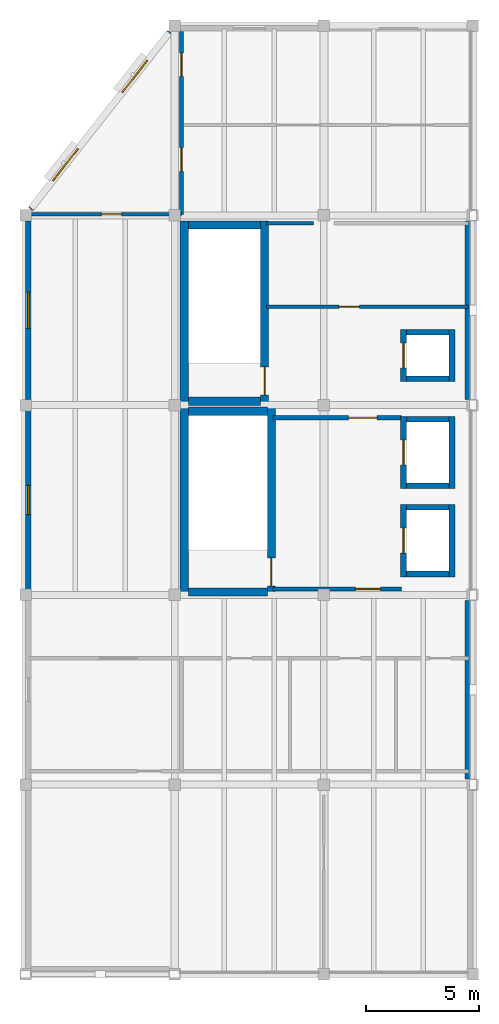
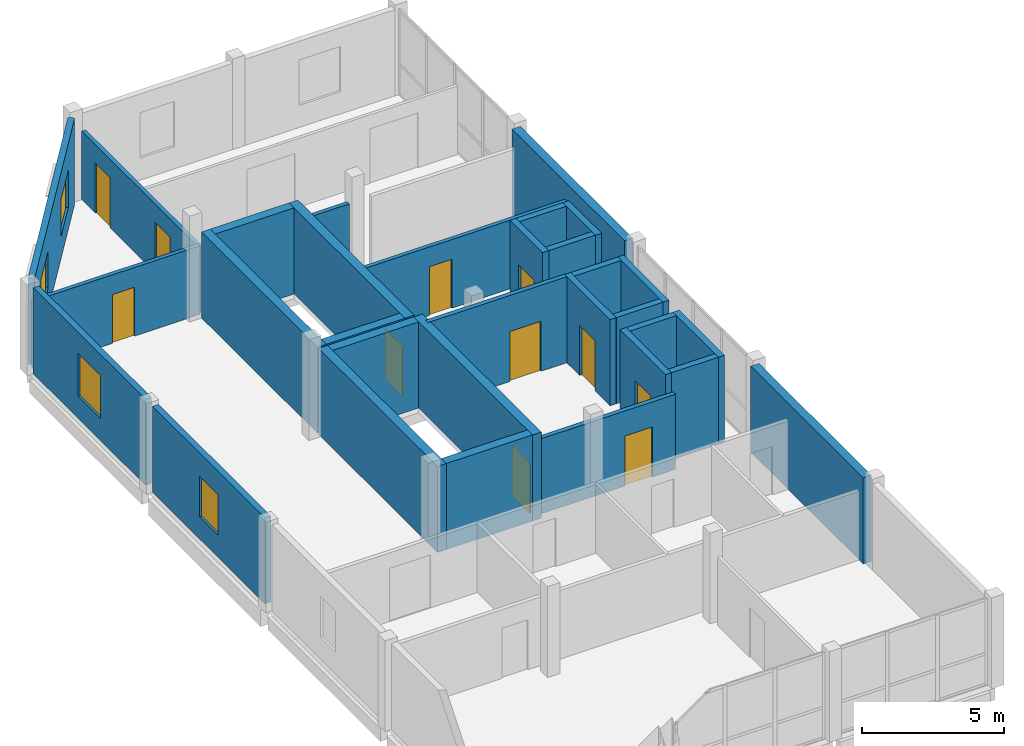
# One storey, part 5 of 7: 31 walls, 11 doors, 4 windows, 15 openings.
"""IFC4 building model written with IfcOpenShell, lengths in metres."""

from ifc_helpers import new_model, si_unit, direction, frame, frame_2d, origin, place, context, subcontext, project, spatial, rectangle, extrude, material, layer, layer_set, type_object, element, fill, save


model = new_model("IFC4")

# Units and contexts
model_context = context("Model", 3, precision=1e-05, world=origin(), true_north=direction((0.0, 1.0)))
body_context = subcontext(model_context, "Body", "Model", "MODEL_VIEW")
ifc_project = project(units=[si_unit("LENGTHUNIT", "METRE"), si_unit("AREAUNIT", "SQUARE_METRE"), si_unit("VOLUMEUNIT", "CUBIC_METRE"), si_unit("PLANEANGLEUNIT", "RADIAN"), si_unit("MASSUNIT", "GRAM", prefix="KILO")], contexts=[model_context])

# Site, building, storey
site_placement = place(None, origin())
site = spatial("IfcSite", under=ifc_project, at=site_placement, CompositionType="ELEMENT")
building_placement = place(site_placement, origin())
building = spatial("IfcBuilding", under=site, at=building_placement, Name="Qaldarim Faculty of Natural and Applied Sciences", CompositionType="ELEMENT")
storey_placement = place(building_placement, frame((0.0, 0.0, 47.10009765625)))
storey = spatial("IfcBuildingStorey", under=building, at=storey_placement, Name="L11", CompositionType="ELEMENT", Elevation=47.10009765625)

# Wall
ifc_material_1 = material(Name="Concrete C50/60", Category="concrete")
ifc_layer_1 = layer(ifc_material_1, 0.360107421875)
ifc_layer_set_1 = layer_set([ifc_layer_1], Name="Concrete C50/60")
wall_type_1 = type_object("IfcWallType", Name="CoreShearWall-360", PredefinedType="SHEAR", material=ifc_layer_set_1)
wall_1_placement = place(storey_placement, frame((165.419921875, 16.739990234375, 0.0), z_axis=(0.0, 0.0, 1.0), x_axis=(0.0, 1.0, 0.0)))
element("IfcWall", 1, at=wall_1_placement, inside=storey, type_object=wall_type_1, Name="Core stair ST-A1 west shear wall L11", PredefinedType="SHEAR", context=body_context, shape_type="SweptSolid", body=[
    extrude(rectangle(XDim=8.3701171875, YDim=0.360107421875, at=frame_2d((4.18505859375, 0.0))), origin(), (0.0, 0.0, 1.0), 3.699951171875),
])

# Wall, opening, door
wall_2_placement = place(storey_placement, frame((169.280029296875, 16.739990234375, 0.0), z_axis=(0.0, 0.0, 1.0), x_axis=(0.0, 1.0, 0.0)))
wall_2 = element("IfcWall", 2, at=wall_2_placement, inside=storey, type_object=wall_type_1, Name="Core stair ST-A1 east shear wall L11", PredefinedType="SHEAR", context=body_context, shape_type="SweptSolid", body=[
    extrude(rectangle(XDim=8.3701171875, YDim=0.360107421875, at=frame_2d((4.18505859375, 0.0))), origin(), (0.0, 0.0, 1.0), 3.699951171875),
])
opening_1_placement = place(wall_2_placement, frame((0.449951171875, 0.0, 0.0)))
opening_1 = element("IfcOpeningElement", 3, at=opening_1_placement, cuts=wall_2, Name="Opening ID04", PredefinedType="OPENING", context=body_context, shape_type="SweptSolid", body=[
    extrude(rectangle(XDim=1.25, YDim=2.14990234375, at=frame_2d((0.625, 1.074951171875))), frame((0.0, 0.18994140625, 0.0), z_axis=(0.0, -1.0, 0.0), x_axis=(1.0, 0.0, 0.0)), (0.0, 0.0, 1.0), 0.380126953125),
])
ifc_material_2 = material(Name="Architectural stainless steel 316", Category="steel")
door_type_1 = type_object("IfcDoorType", Name="StairEnclosureFireDoor-1250x2150", OperationType="NOTDEFINED", PredefinedType="DOOR", material=ifc_material_2)
door_1_placement = place(opening_1_placement, origin())
door_1 = element("IfcDoor", 4, at=door_1_placement, inside=storey, type_object=door_type_1, Name="Protected stair ST-A1 fire door D-L11-513", OperationType="SINGLE_SWING_LEFT", OverallHeight=2.14990234375, OverallWidth=1.25, PredefinedType="DOOR", context=body_context, shape_type="SweptSolid", body=[
    extrude(rectangle(XDim=1.25, YDim=2.14990234375, at=frame_2d((0.625, 1.074951171875))), frame((0.0, 0.02490234375, 0.0), z_axis=(0.0, -1.0, 0.0), x_axis=(1.0, 0.0, 0.0)), (0.0, 0.0, 1.0), 0.050048828125),
])
fill(opening_1, door_1)

# Walls
for number, where, z_axis, x_axis, name in (
    (5, (165.60009765625, 24.929931640625, 0.0), (0.0, 0.0, 1.0), (1.0, 0.0, 0.0), "Core stair ST-A1 north shear wall L11"),
    (6, (165.60009765625, 16.919921875, 0.0), (0.0, 0.0, 1.0), (1.0, 0.0, 0.0), "Core stair ST-A1 south shear wall L11"),
):
    element("IfcWall", number, at=place(storey_placement, frame(where, z_axis=z_axis, x_axis=x_axis)), inside=storey, type_object=wall_type_1, Name=name, PredefinedType="SHEAR", context=body_context, shape_type="SweptSolid", body=[
        extrude(rectangle(XDim=3.5, YDim=0.360107421875, at=frame_2d((1.75, 0.0))), origin(), (0.0, 0.0, 1.0), 3.699951171875),
    ])
wall_3_placement = place(storey_placement, frame((165.419921875, 25.18994140625, 0.0), z_axis=(0.0, 0.0, 1.0), x_axis=(0.0, 1.0, 0.0)))
element("IfcWall", 7, at=wall_3_placement, inside=storey, type_object=wall_type_1, Name="Core stair ST-A2 west shear wall L11", PredefinedType="SHEAR", context=body_context, shape_type="SweptSolid", body=[
    extrude(rectangle(XDim=8.170166015625, YDim=0.360107421875, at=frame_2d((4.0849609375, 0.0))), origin(), (0.0, 0.0, 1.0), 3.699951171875),
])

# Wall, opening, door
wall_4_placement = place(storey_placement, frame((168.97998046875, 25.18994140625, 0.0), z_axis=(0.0, 0.0, 1.0), x_axis=(0.0, 1.0, 0.0)))
wall_4 = element("IfcWall", 8, at=wall_4_placement, inside=storey, type_object=wall_type_1, Name="Core stair ST-A2 east shear wall L11", PredefinedType="SHEAR", context=body_context, shape_type="SweptSolid", body=[
    extrude(rectangle(XDim=8.170166015625, YDim=0.360107421875, at=frame_2d((4.0849609375, 0.0))), origin(), (0.0, 0.0, 1.0), 3.699951171875),
])
opening_2_placement = place(wall_4_placement, frame((0.449951171875, 0.0, 0.0)))
opening_2 = element("IfcOpeningElement", 9, at=opening_2_placement, cuts=wall_4, Name="Opening ID04", PredefinedType="OPENING", context=body_context, shape_type="SweptSolid", body=[
    extrude(rectangle(XDim=1.25, YDim=2.14990234375, at=frame_2d((0.625, 1.074951171875))), frame((0.0, 0.18994140625, 0.0), z_axis=(0.0, -1.0, 0.0), x_axis=(1.0, 0.0, 0.0)), (0.0, 0.0, 1.0), 0.380126953125),
])
door_2_placement = place(opening_2_placement, origin())
door_2 = element("IfcDoor", 10, at=door_2_placement, inside=storey, type_object=door_type_1, Name="Protected stair ST-A2 fire door D-L11-525", OperationType="SINGLE_SWING_LEFT", OverallHeight=2.14990234375, OverallWidth=1.25, PredefinedType="DOOR", context=body_context, shape_type="SweptSolid", body=[
    extrude(rectangle(XDim=1.25, YDim=2.14990234375, at=frame_2d((0.625, 1.074951171875))), frame((0.0, 0.02490234375, 0.0), z_axis=(0.0, -1.0, 0.0), x_axis=(1.0, 0.0, 0.0)), (0.0, 0.0, 1.0), 0.050048828125),
])
fill(opening_2, door_2)

# Walls
for number, where, z_axis, x_axis, name in (
    (11, (165.60009765625, 33.179931640625, 0.0), (0.0, 0.0, 1.0), (1.0, 0.0, 0.0), "Core stair ST-A2 north shear wall L11"),
    (12, (165.60009765625, 25.3701171875, 0.0), (0.0, 0.0, 1.0), (1.0, 0.0, 0.0), "Core stair ST-A2 south shear wall L11"),
):
    element("IfcWall", number, at=place(storey_placement, frame(where, z_axis=z_axis, x_axis=x_axis)), inside=storey, type_object=wall_type_1, Name=name, PredefinedType="SHEAR", context=body_context, shape_type="SweptSolid", body=[
        extrude(rectangle(XDim=3.199951171875, YDim=0.360107421875, at=frame_2d((1.60009765625, 0.0))), origin(), (0.0, 0.0, 1.0), 3.699951171875),
    ])

# Wall, opening, window
ifc_material_3 = material(Name="Precast concrete C40/50", Category="concrete")
ifc_layer_2 = layer(ifc_material_3, 0.239990234375)
ifc_layer_set_2 = layer_set([ifc_layer_2], Name="Precast concrete C40/50")
wall_type_2 = type_object("IfcWallType", Name="ExteriorInsulatedWall-240", PredefinedType="SOLIDWALL", material=ifc_layer_set_2)
wall_5_placement = place(storey_placement, frame((158.52001953125, 24.955078125, 0.0), z_axis=(0.0, 0.0, 1.0), x_axis=(0.0, -1.0, 0.0)))
wall_5 = element("IfcWall", 13, at=wall_5_placement, inside=storey, type_object=wall_type_2, Name="Exterior wall EW03 L11 W X25Y03", PredefinedType="SOLIDWALL", context=body_context, shape_type="SweptSolid", body=[
    extrude(rectangle(XDim=7.91015625, YDim=0.239990234375, at=frame_2d((3.955078125, 0.0))), origin(), (0.0, 0.0, 1.0), 3.699951171875),
])
opening_3_placement = place(wall_5_placement, frame((3.304931640625, 0.0, 0.949951171875)))
opening_3 = element("IfcOpeningElement", 14, at=opening_3_placement, cuts=wall_5, Name="Opening WN18", PredefinedType="OPENING", context=body_context, shape_type="SweptSolid", body=[
    extrude(rectangle(XDim=1.300048828125, YDim=1.75, at=frame_2d((0.64990234375, 0.875))), frame((0.0, 0.1298828125, 0.0), z_axis=(0.0, -1.0, 0.0), x_axis=(1.0, 0.0, 0.0)), (0.0, 0.0, 1.0), 0.260009765625),
])
ifc_material_4 = material(Name="Insulated low-e double glazing", Category="glass")
window_type_1 = type_object("IfcWindowType", Name="StudyWindow-1300x1750", PartitioningType="SINGLE_PANEL", PredefinedType="WINDOW", material=ifc_material_4)
window_1_placement = place(opening_3_placement, origin())
window_1 = element("IfcWindow", 15, at=window_1_placement, inside=storey, type_object=window_type_1, Name="Facade window WN18 L11 W X25Y03", OverallHeight=1.75, OverallWidth=1.300048828125, PartitioningType="SINGLE_PANEL", PredefinedType="WINDOW", context=body_context, shape_type="SweptSolid", body=[
    extrude(rectangle(XDim=1.300048828125, YDim=1.75, at=frame_2d((0.64990234375, 0.875))), frame((0.0, 0.030029296875, 0.0), z_axis=(0.0, -1.0, 0.0), x_axis=(1.0, 0.0, 0.0)), (0.0, 0.0, 1.0), 0.06005859375),
])
fill(opening_3, window_1)

wall_6_placement = place(storey_placement, frame((158.52001953125, 33.35498046875, 0.0), z_axis=(0.0, 0.0, 1.0), x_axis=(0.0, -1.0, 0.0)))
wall_6 = element("IfcWall", 16, at=wall_6_placement, inside=storey, type_object=wall_type_2, Name="Exterior wall EW03 L11 W X25Y04", PredefinedType="SOLIDWALL", context=body_context, shape_type="SweptSolid", body=[
    extrude(rectangle(XDim=7.909912109375, YDim=0.239990234375, at=frame_2d((3.955078125, 0.0))), origin(), (0.0, 0.0, 1.0), 3.699951171875),
])
opening_4_placement = place(wall_6_placement, frame((3.155029296875, 0.0, 0.949951171875)))
opening_4 = element("IfcOpeningElement", 17, at=opening_4_placement, cuts=wall_6, Name="Opening WN19", PredefinedType="OPENING", context=body_context, shape_type="SweptSolid", body=[
    extrude(rectangle(XDim=1.60009765625, YDim=1.85009765625, at=frame_2d((0.800048828125, 0.925048828125))), frame((0.0, 0.1298828125, 0.0), z_axis=(0.0, -1.0, 0.0), x_axis=(1.0, 0.0, 0.0)), (0.0, 0.0, 1.0), 0.260009765625),
])
window_type_2 = type_object("IfcWindowType", Name="StudyWindow-1600x1850", PartitioningType="DOUBLE_PANEL_VERTICAL", PredefinedType="WINDOW", material=ifc_material_4)
window_2_placement = place(opening_4_placement, origin())
window_2 = element("IfcWindow", 18, at=window_2_placement, inside=storey, type_object=window_type_2, Name="Facade window WN19 L11 W X25Y04", OverallHeight=1.85009765625, OverallWidth=1.60009765625, PartitioningType="SINGLE_PANEL", PredefinedType="WINDOW", context=body_context, shape_type="SweptSolid", body=[
    extrude(rectangle(XDim=1.60009765625, YDim=1.85009765625, at=frame_2d((0.800048828125, 0.925048828125))), frame((0.0, 0.030029296875, 0.0), z_axis=(0.0, -1.0, 0.0), x_axis=(1.0, 0.0, 0.0)), (0.0, 0.0, 1.0), 0.06005859375),
])
fill(opening_4, window_2)

# Wall, openings, windows
wall_7_placement = place(storey_placement, frame((158.6201171875, 33.8798828125, 0.0), z_axis=(0.0, 0.0, 1.0), x_axis=(0.617811819191, 0.786325985878, 0.0)))
wall_7 = element("IfcWall", 19, at=wall_7_placement, inside=storey, type_object=wall_type_2, Name="Oblique NW chamfer fenestrated wall L11", PredefinedType="SOLIDWALL", context=body_context, shape_type="SweptSolid", body=[
    extrude(rectangle(XDim=9.970458984375, YDim=0.239990234375, at=frame_2d((4.9853515625, 0.0))), origin(), (0.0, 0.0, 1.0), 3.699951171875),
])
opening_5_placement = place(wall_7_placement, frame((1.60009765625, 0.0, 0.949951171875)))
opening_5 = element("IfcOpeningElement", 20, at=opening_5_placement, cuts=wall_7, Name="Opening WN02", PredefinedType="OPENING", context=body_context, shape_type="SweptSolid", body=[
    extrude(rectangle(XDim=1.800048828125, YDim=1.60009765625, at=frame_2d((0.89990234375, 0.800048828125))), frame((0.0, 0.1298828125, 0.0), z_axis=(0.0, -1.0, 0.0), x_axis=(1.0, 0.0, 0.0)), (0.0, 0.0, 1.0), 0.260009765625),
])
opening_6_placement = place(wall_7_placement, frame((6.570068359375, 0.0, 0.949951171875)))
opening_6 = element("IfcOpeningElement", 21, at=opening_6_placement, cuts=wall_7, Name="Opening WN02", PredefinedType="OPENING", context=body_context, shape_type="SweptSolid", body=[
    extrude(rectangle(XDim=1.800048828125, YDim=1.60009765625, at=frame_2d((0.89990234375, 0.800048828125))), frame((0.0, 0.1298828125, 0.0), z_axis=(0.0, -1.0, 0.0), x_axis=(1.0, 0.0, 0.0)), (0.0, 0.0, 1.0), 0.260009765625),
])
window_type_3 = type_object("IfcWindowType", Name="Window-1800x1600", PartitioningType="DOUBLE_PANEL_VERTICAL", PredefinedType="WINDOW", material=ifc_material_4)
window_3_placement = place(opening_5_placement, origin())
window_3 = element("IfcWindow", 22, at=window_3_placement, inside=storey, type_object=window_type_3, Name="Oblique NW stepped tier window L11 1", OverallHeight=1.60009765625, OverallWidth=1.800048828125, PartitioningType="SINGLE_PANEL", PredefinedType="WINDOW", context=body_context, shape_type="SweptSolid", body=[
    extrude(rectangle(XDim=1.800048828125, YDim=1.60009765625, at=frame_2d((0.89990234375, 0.800048828125))), frame((0.0, 0.030029296875, 0.0), z_axis=(0.0, -1.0, 0.0), x_axis=(1.0, 0.0, 0.0)), (0.0, 0.0, 1.0), 0.06005859375),
])
fill(opening_5, window_3)
window_4_placement = place(opening_6_placement, origin())
window_4 = element("IfcWindow", 23, at=window_4_placement, inside=storey, type_object=window_type_3, Name="Oblique NW stepped tier window L11 2", OverallHeight=1.60009765625, OverallWidth=1.800048828125, PartitioningType="SINGLE_PANEL", PredefinedType="WINDOW", context=body_context, shape_type="SweptSolid", body=[
    extrude(rectangle(XDim=1.800048828125, YDim=1.60009765625, at=frame_2d((0.89990234375, 0.800048828125))), frame((0.0, 0.030029296875, 0.0), z_axis=(0.0, -1.0, 0.0), x_axis=(1.0, 0.0, 0.0)), (0.0, 0.0, 1.0), 0.06005859375),
])
fill(opening_6, window_4)

# Walls
ifc_layer_3 = layer(ifc_material_1, 0.340087890625)
ifc_layer_set_3 = layer_set([ifc_layer_3], Name="Concrete C50/60")
wall_type_3 = type_object("IfcWallType", Name="ExteriorStairShearWall-340", PredefinedType="SHEAR", material=ifc_layer_set_3)
for number, where, z_axis, x_axis, name in (
    (24, (178.030029296875, 8.64501953125, 0.0), (0.0, 0.0, 1.0), (0.0, 1.0, 0.0), "Exterior wall EW05 L11 E X27Y02"),
    (25, (178.030029296875, 25.445068359375, 0.0), (0.0, 0.0, 1.0), (0.0, 1.0, 0.0), "Exterior wall EW05 L11 E X27Y04"),
):
    element("IfcWall", number, at=place(storey_placement, frame(where, z_axis=z_axis, x_axis=x_axis)), inside=storey, type_object=wall_type_3, Name=name, PredefinedType="SHEAR", context=body_context, shape_type="SweptSolid", body=[
        extrude(rectangle(XDim=7.909912109375, YDim=0.340087890625, at=frame_2d((3.955078125, 0.0))), origin(), (0.0, 0.0, 1.0), 3.699951171875),
    ])

# Wall, openings, doors
ifc_material_5 = material(Name="Concrete C40/50", Category="concrete")
ifc_layer_4 = layer(ifc_material_5, 0.159912109375)
ifc_layer_set_4 = layer_set([ifc_layer_4], Name="Concrete C40/50")
wall_type_4 = type_object("IfcWallType", Name="FireCorridorWall-160", PredefinedType="PARTITIONING", material=ifc_layer_set_4)
wall_8_placement = place(storey_placement, frame((165.300048828125, 33.64990234375, 0.0), z_axis=(0.0, 0.0, 1.0), x_axis=(0.0, 1.0, 0.0)))
wall_8 = element("IfcWall", 26, at=wall_8_placement, inside=storey, type_object=wall_type_4, Name="Interior partition PRT-L11-U-NW", PredefinedType="PARTITIONING", context=body_context, shape_type="SweptSolid", body=[
    extrude(rectangle(XDim=8.10009765625, YDim=0.159912109375, at=frame_2d((4.050048828125, 0.0))), origin(), (0.0, 0.0, 1.0), 2.949951171875),
])
opening_7_placement = place(wall_8_placement, frame((1.89990234375, 0.0, 0.0)))
opening_7 = element("IfcOpeningElement", 27, at=opening_7_placement, cuts=wall_8, Name="Opening ID02", PredefinedType="OPENING", context=body_context, shape_type="SweptSolid", body=[
    extrude(rectangle(XDim=1.050048828125, YDim=2.14990234375, at=frame_2d((0.52490234375, 1.074951171875))), frame((0.0, 0.08984375, 0.0), z_axis=(0.0, -1.0, 0.0), x_axis=(1.0, 0.0, 0.0)), (0.0, 0.0, 1.0), 0.179931640625),
])
opening_8_placement = place(wall_8_placement, frame((6.10009765625, 0.0, 0.0)))
opening_8 = element("IfcOpeningElement", 28, at=opening_8_placement, cuts=wall_8, Name="Opening ID02", PredefinedType="OPENING", context=body_context, shape_type="SweptSolid", body=[
    extrude(rectangle(XDim=1.050048828125, YDim=2.14990234375, at=frame_2d((0.52490234375, 1.074951171875))), frame((0.0, 0.08984375, 0.0), z_axis=(0.0, -1.0, 0.0), x_axis=(1.0, 0.0, 0.0)), (0.0, 0.0, 1.0), 0.179931640625),
])
ifc_material_6 = material(Name="Oak hardwood", Category="wood")
door_type_2 = type_object("IfcDoorType", Name="AccessibleRoomDoor-1050x2150", OperationType="NOTDEFINED", PredefinedType="DOOR", material=ifc_material_6)
door_3_placement = place(opening_7_placement, origin())
door_3 = element("IfcDoor", 29, at=door_3_placement, inside=storey, type_object=door_type_2, Name="Interior door D-L11-292", OperationType="SINGLE_SWING_LEFT", OverallHeight=2.14990234375, OverallWidth=1.050048828125, PredefinedType="DOOR", context=body_context, shape_type="SweptSolid", body=[
    extrude(rectangle(XDim=1.050048828125, YDim=2.14990234375, at=frame_2d((0.52490234375, 1.074951171875))), frame((0.0, 0.02490234375, 0.0), z_axis=(0.0, -1.0, 0.0), x_axis=(1.0, 0.0, 0.0)), (0.0, 0.0, 1.0), 0.050048828125),
])
fill(opening_7, door_3)
door_4_placement = place(opening_8_placement, origin())
door_4 = element("IfcDoor", 30, at=door_4_placement, inside=storey, type_object=door_type_2, Name="Interior door D-L11-293", OperationType="SINGLE_SWING_RIGHT", OverallHeight=2.14990234375, OverallWidth=1.050048828125, PredefinedType="DOOR", context=body_context, shape_type="SweptSolid", body=[
    extrude(rectangle(XDim=1.050048828125, YDim=2.14990234375, at=frame_2d((0.52490234375, 1.074951171875))), frame((0.0, 0.02490234375, 0.0), z_axis=(0.0, -1.0, 0.0), x_axis=(1.0, 0.0, 0.0)), (0.0, 0.0, 1.0), 0.050048828125),
])
fill(opening_8, door_4)

# Wall, opening, door
wall_9_placement = place(storey_placement, frame((158.550048828125, 33.64990234375, 0.0), z_axis=(0.0, 0.0, 1.0), x_axis=(1.0, 0.0, 0.0)))
wall_9 = element("IfcWall", 31, at=wall_9_placement, inside=storey, type_object=wall_type_4, Name="Interior partition PRT-L11-U-FELS", PredefinedType="PARTITIONING", context=body_context, shape_type="SweptSolid", body=[
    extrude(rectangle(XDim=6.75, YDim=0.159912109375, at=frame_2d((3.375, 0.0))), origin(), (0.0, 0.0, 1.0), 2.949951171875),
])
opening_9_placement = place(wall_9_placement, frame((3.199951171875, 0.0, 0.0)))
opening_9 = element("IfcOpeningElement", 32, at=opening_9_placement, cuts=wall_9, Name="Opening ID07", PredefinedType="OPENING", context=body_context, shape_type="SweptSolid", body=[
    extrude(rectangle(XDim=0.89990234375, YDim=2.10009765625, at=frame_2d((0.449951171875, 1.050048828125))), frame((0.0, 0.08984375, 0.0), z_axis=(0.0, -1.0, 0.0), x_axis=(1.0, 0.0, 0.0)), (0.0, 0.0, 1.0), 0.179931640625),
])
door_type_3 = type_object("IfcDoorType", Name="OfficeStudyDoor-900x2100", OperationType="NOTDEFINED", PredefinedType="DOOR", material=ifc_material_6)
door_5_placement = place(opening_9_placement, origin())
door_5 = element("IfcDoor", 33, at=door_5_placement, inside=storey, type_object=door_type_3, Name="Interior door D-L11-294", OperationType="SINGLE_SWING_LEFT", OverallHeight=2.10009765625, OverallWidth=0.89990234375, PredefinedType="DOOR", context=body_context, shape_type="SweptSolid", body=[
    extrude(rectangle(XDim=0.89990234375, YDim=2.10009765625, at=frame_2d((0.449951171875, 1.050048828125))), frame((0.0, 0.02490234375, 0.0), z_axis=(0.0, -1.0, 0.0), x_axis=(1.0, 0.0, 0.0)), (0.0, 0.0, 1.0), 0.050048828125),
])
fill(opening_9, door_5)

wall_10_placement = place(storey_placement, frame((169.070068359375, 29.550048828125, 0.0), z_axis=(0.0, 0.0, 1.0), x_axis=(1.0, 0.0, 0.0)))
wall_10 = element("IfcWall", 34, at=wall_10_placement, inside=storey, type_object=wall_type_4, Name="Interior partition PRT-L11-V5-NES", PredefinedType="PARTITIONING", context=body_context, shape_type="SweptSolid", body=[
    extrude(rectangle(XDim=8.929931640625, YDim=0.159912109375, at=frame_2d((4.46484375, 0.0))), origin(), (0.0, 0.0, 1.0), 2.949951171875),
])
opening_10_placement = place(wall_10_placement, frame((3.199951171875, 0.0, 0.0)))
opening_10 = element("IfcOpeningElement", 35, at=opening_10_placement, cuts=wall_10, Name="Opening ID07", PredefinedType="OPENING", context=body_context, shape_type="SweptSolid", body=[
    extrude(rectangle(XDim=0.89990234375, YDim=2.10009765625, at=frame_2d((0.449951171875, 1.050048828125))), frame((0.0, 0.08984375, 0.0), z_axis=(0.0, -1.0, 0.0), x_axis=(1.0, 0.0, 0.0)), (0.0, 0.0, 1.0), 0.179931640625),
])
door_6_placement = place(opening_10_placement, origin())
door_6 = element("IfcDoor", 36, at=door_6_placement, inside=storey, type_object=door_type_3, Name="Interior door D-L11-431", OperationType="SINGLE_SWING_LEFT", OverallHeight=2.10009765625, OverallWidth=0.89990234375, PredefinedType="DOOR", context=body_context, shape_type="SweptSolid", body=[
    extrude(rectangle(XDim=0.89990234375, YDim=2.10009765625, at=frame_2d((0.449951171875, 1.050048828125))), frame((0.0, 0.02490234375, 0.0), z_axis=(0.0, -1.0, 0.0), x_axis=(1.0, 0.0, 0.0)), (0.0, 0.0, 1.0), 0.050048828125),
])
fill(opening_10, door_6)

# Wall
wall_11_placement = place(storey_placement, frame((169.070068359375, 33.25, 0.0), z_axis=(0.0, 0.0, 1.0), x_axis=(1.0, 0.0, 0.0)))
element("IfcWall", 37, at=wall_11_placement, inside=storey, type_object=wall_type_4, Name="Interior partition PRT-L11-V5-NEN-S1", PredefinedType="PARTITIONING", context=body_context, shape_type="SweptSolid", body=[
    extrude(rectangle(XDim=2.079833984375, YDim=0.159912109375, at=frame_2d((1.0400390625, 0.0))), origin(), (0.0, 0.0, 1.0), 2.949951171875),
])

# Wall, opening, door
ifc_layer_5 = layer(ifc_material_5, 0.179931640625)
ifc_layer_set_5 = layer_set([ifc_layer_5], Name="Concrete C40/50")
wall_type_5 = type_object("IfcWallType", Name="LabFireCompartmentWall-180", PredefinedType="SOLIDWALL", material=ifc_layer_set_5)
wall_12_placement = place(storey_placement, frame((169.35009765625, 24.639892578125, 0.0), z_axis=(0.0, 0.0, 1.0), x_axis=(1.0, 0.0, 0.0)))
wall_12 = element("IfcWall", 38, at=wall_12_placement, inside=storey, type_object=wall_type_5, Name="Fire-fighting lobby compartment wall Core A L11", PredefinedType="SOLIDWALL", context=body_context, shape_type="SweptSolid", body=[
    extrude(rectangle(XDim=5.699951171875, YDim=0.179931640625, at=frame_2d((2.85009765625, 0.0))), origin(), (0.0, 0.0, 1.0), 3.699951171875),
])
opening_11_placement = place(wall_12_placement, frame((3.35009765625, 0.0, 0.0)))
opening_11 = element("IfcOpeningElement", 39, at=opening_11_placement, cuts=wall_12, Name="Opening ID04", PredefinedType="OPENING", context=body_context, shape_type="SweptSolid", body=[
    extrude(rectangle(XDim=1.25, YDim=2.14990234375, at=frame_2d((0.625, 1.074951171875))), frame((0.0, 0.099853515625, 0.0), z_axis=(0.0, -1.0, 0.0), x_axis=(1.0, 0.0, 0.0)), (0.0, 0.0, 1.0), 0.199951171875),
])
door_7_placement = place(opening_11_placement, frame((1.25, 0.0, 0.0), z_axis=(0.0, 0.0, 1.0), x_axis=(-1.0, 0.0, 0.0)))
door_7 = element("IfcDoor", 40, at=door_7_placement, inside=storey, type_object=door_type_1, Name="Fire-fighting lobby door Core A D-L11-620", OperationType="SINGLE_SWING_RIGHT", OverallHeight=2.14990234375, OverallWidth=1.25, PredefinedType="DOOR", context=body_context, shape_type="SweptSolid", body=[
    extrude(rectangle(XDim=1.25, YDim=2.14990234375, at=frame_2d((0.625, 1.074951171875))), frame((0.0, 0.02490234375, 0.0), z_axis=(0.0, -1.0, 0.0), x_axis=(1.0, 0.0, 0.0)), (0.0, 0.0, 1.0), 0.050048828125),
])
fill(opening_11, door_7)

wall_13_placement = place(storey_placement, frame((169.35009765625, 17.06005859375, 0.0), z_axis=(0.0, 0.0, 1.0), x_axis=(1.0, 0.0, 0.0)))
wall_13 = element("IfcWall", 41, at=wall_13_placement, inside=storey, type_object=wall_type_5, Name="Fire-fighting lobby south wall Core A L11", PredefinedType="SOLIDWALL", context=body_context, shape_type="SweptSolid", body=[
    extrude(rectangle(XDim=5.699951171875, YDim=0.179931640625, at=frame_2d((2.85009765625, 0.0))), origin(), (0.0, 0.0, 1.0), 3.22998046875),
])
opening_12_placement = place(wall_13_placement, frame((3.64990234375, 0.0, 0.0)))
opening_12 = element("IfcOpeningElement", 42, at=opening_12_placement, cuts=wall_13, Name="Opening ID03", PredefinedType="OPENING", context=body_context, shape_type="SweptSolid", body=[
    extrude(rectangle(XDim=1.10009765625, YDim=2.14990234375, at=frame_2d((0.550048828125, 1.074951171875))), frame((0.0, 0.099853515625, 0.0), z_axis=(0.0, -1.0, 0.0), x_axis=(1.0, 0.0, 0.0)), (0.0, 0.0, 1.0), 0.199951171875),
])
door_type_4 = type_object("IfcDoorType", Name="FireLobbyDoor-1100x2150", OperationType="NOTDEFINED", PredefinedType="DOOR", material=ifc_material_6)
door_8_placement = place(opening_12_placement, origin())
door_8 = element("IfcDoor", 43, at=door_8_placement, inside=storey, type_object=door_type_4, Name="Fire-fighting lobby corridor door Core A D-L11-621", OperationType="SINGLE_SWING_LEFT", OverallHeight=2.14990234375, OverallWidth=1.10009765625, PredefinedType="DOOR", context=body_context, shape_type="SweptSolid", body=[
    extrude(rectangle(XDim=1.10009765625, YDim=2.14990234375, at=frame_2d((0.550048828125, 1.074951171875))), frame((0.0, 0.02490234375, 0.0), z_axis=(0.0, -1.0, 0.0), x_axis=(1.0, 0.0, 0.0)), (0.0, 0.0, 1.0), 0.050048828125),
])
fill(opening_12, door_8)

ifc_layer_6 = layer(ifc_material_5, 0.25)
ifc_layer_set_6 = layer_set([ifc_layer_6], Name="Concrete C40/50")
wall_type_6 = type_object("IfcWallType", Name="LiftShaftWall-250", PredefinedType="SHEAR", material=ifc_layer_set_6)
wall_14_placement = place(storey_placement, frame((175.125, 17.60009765625, 0.0), z_axis=(0.0, 0.0, 1.0), x_axis=(0.0, 1.0, 0.0)))
wall_14 = element("IfcWall", 44, at=wall_14_placement, inside=storey, type_object=wall_type_6, Name="Lift LF-A1 front shaft wall L11", PredefinedType="SHEAR", context=body_context, shape_type="SweptSolid", body=[
    extrude(rectangle(XDim=3.199951171875, YDim=0.25, at=frame_2d((1.60009765625, 0.0))), origin(), (0.0, 0.0, 1.0), 3.699951171875),
])
opening_13_placement = place(wall_14_placement, frame((1.050048828125, 0.0, 0.0)))
opening_13 = element("IfcOpeningElement", 45, at=opening_13_placement, cuts=wall_14, Name="Opening LD01", PredefinedType="OPENING", context=body_context, shape_type="SweptSolid", body=[
    extrude(rectangle(XDim=1.10009765625, YDim=2.14990234375, at=frame_2d((0.550048828125, 1.074951171875))), frame((0.0, 0.135009765625, 0.0), z_axis=(0.0, -1.0, 0.0), x_axis=(1.0, 0.0, 0.0)), (0.0, 0.0, 1.0), 0.27001953125),
])
door_type_5 = type_object("IfcDoorType", Name="LiftLandingSlidingDoor-1100x2150", OperationType="NOTDEFINED", PredefinedType="DOOR", material=ifc_material_2)
door_9_placement = place(opening_13_placement, origin())
door_9 = element("IfcDoor", 46, at=door_9_placement, inside=storey, type_object=door_type_5, Name="Lift landing sliding door LF-A1 D-L11-569", OperationType="SLIDING_TO_LEFT", OverallHeight=2.14990234375, OverallWidth=1.10009765625, PredefinedType="DOOR", context=body_context, shape_type="SweptSolid", body=[
    extrude(rectangle(XDim=1.10009765625, YDim=2.14990234375, at=frame_2d((0.550048828125, 1.074951171875))), frame((0.0, 0.02490234375, 0.0), z_axis=(0.0, -1.0, 0.0), x_axis=(1.0, 0.0, 0.0)), (0.0, 0.0, 1.0), 0.050048828125),
])
fill(opening_13, door_9)

# Walls
wall_15_placement = place(storey_placement, frame((177.27490234375, 17.60009765625, 0.0), z_axis=(0.0, 0.0, 1.0), x_axis=(0.0, 1.0, 0.0)))
element("IfcWall", 47, at=wall_15_placement, inside=storey, type_object=wall_type_6, Name="Lift LF-A1 rear shaft wall L11", PredefinedType="SHEAR", context=body_context, shape_type="SweptSolid", body=[
    extrude(rectangle(XDim=3.199951171875, YDim=0.25, at=frame_2d((1.60009765625, 0.0))), origin(), (0.0, 0.0, 1.0), 3.699951171875),
])
for number, where, z_axis, x_axis, name in (
    (48, (175.25, 17.72509765625, 0.0), (0.0, 0.0, 1.0), (1.0, 0.0, 0.0), "Lift LF-A1 south shaft wall L11"),
    (49, (175.25, 20.675048828125, 0.0), (0.0, 0.0, 1.0), (1.0, 0.0, 0.0), "Lift LF-A1 north shaft wall L11"),
):
    element("IfcWall", number, at=place(storey_placement, frame(where, z_axis=z_axis, x_axis=x_axis)), inside=storey, type_object=wall_type_6, Name=name, PredefinedType="SHEAR", context=body_context, shape_type="SweptSolid", body=[
        extrude(rectangle(XDim=1.89990234375, YDim=0.25, at=frame_2d((0.949951171875, 0.0))), origin(), (0.0, 0.0, 1.0), 3.699951171875),
    ])

# Wall, opening, door
wall_16_placement = place(storey_placement, frame((175.125, 21.5, 0.0), z_axis=(0.0, 0.0, 1.0), x_axis=(0.0, 1.0, 0.0)))
wall_16 = element("IfcWall", 50, at=wall_16_placement, inside=storey, type_object=wall_type_6, Name="Lift LF-A2 front shaft wall L11", PredefinedType="SHEAR", context=body_context, shape_type="SweptSolid", body=[
    extrude(rectangle(XDim=3.199951171875, YDim=0.25, at=frame_2d((1.60009765625, 0.0))), origin(), (0.0, 0.0, 1.0), 3.699951171875),
])
opening_14_placement = place(wall_16_placement, frame((1.050048828125, 0.0, 0.0)))
opening_14 = element("IfcOpeningElement", 51, at=opening_14_placement, cuts=wall_16, Name="Opening LD01", PredefinedType="OPENING", context=body_context, shape_type="SweptSolid", body=[
    extrude(rectangle(XDim=1.10009765625, YDim=2.14990234375, at=frame_2d((0.550048828125, 1.074951171875))), frame((0.0, 0.135009765625, 0.0), z_axis=(0.0, -1.0, 0.0), x_axis=(1.0, 0.0, 0.0)), (0.0, 0.0, 1.0), 0.27001953125),
])
door_10_placement = place(opening_14_placement, origin())
door_10 = element("IfcDoor", 52, at=door_10_placement, inside=storey, type_object=door_type_5, Name="Lift landing sliding door LF-A2 D-L11-582", OperationType="SLIDING_TO_LEFT", OverallHeight=2.14990234375, OverallWidth=1.10009765625, PredefinedType="DOOR", context=body_context, shape_type="SweptSolid", body=[
    extrude(rectangle(XDim=1.10009765625, YDim=2.14990234375, at=frame_2d((0.550048828125, 1.074951171875))), frame((0.0, 0.02490234375, 0.0), z_axis=(0.0, -1.0, 0.0), x_axis=(1.0, 0.0, 0.0)), (0.0, 0.0, 1.0), 0.050048828125),
])
fill(opening_14, door_10)

# Walls
wall_17_placement = place(storey_placement, frame((177.27490234375, 21.5, 0.0), z_axis=(0.0, 0.0, 1.0), x_axis=(0.0, 1.0, 0.0)))
element("IfcWall", 53, at=wall_17_placement, inside=storey, type_object=wall_type_6, Name="Lift LF-A2 rear shaft wall L11", PredefinedType="SHEAR", context=body_context, shape_type="SweptSolid", body=[
    extrude(rectangle(XDim=3.199951171875, YDim=0.25, at=frame_2d((1.60009765625, 0.0))), origin(), (0.0, 0.0, 1.0), 3.699951171875),
])
for number, where, z_axis, x_axis, name in (
    (54, (175.25, 21.625, 0.0), (0.0, 0.0, 1.0), (1.0, 0.0, 0.0), "Lift LF-A2 south shaft wall L11"),
    (55, (175.25, 24.574951171875, 0.0), (0.0, 0.0, 1.0), (1.0, 0.0, 0.0), "Lift LF-A2 north shaft wall L11"),
):
    element("IfcWall", number, at=place(storey_placement, frame(where, z_axis=z_axis, x_axis=x_axis)), inside=storey, type_object=wall_type_6, Name=name, PredefinedType="SHEAR", context=body_context, shape_type="SweptSolid", body=[
        extrude(rectangle(XDim=1.89990234375, YDim=0.25, at=frame_2d((0.949951171875, 0.0))), origin(), (0.0, 0.0, 1.0), 3.699951171875),
    ])

# Wall, opening, door
wall_18_placement = place(storey_placement, frame((175.125, 26.25, 0.0), z_axis=(0.0, 0.0, 1.0), x_axis=(0.0, 1.0, 0.0)))
wall_18 = element("IfcWall", 56, at=wall_18_placement, inside=storey, type_object=wall_type_6, Name="Lift LF-A3 front shaft wall L11", PredefinedType="SHEAR", context=body_context, shape_type="SweptSolid", body=[
    extrude(rectangle(XDim=2.300048828125, YDim=0.25, at=frame_2d((1.14990234375, 0.0))), origin(), (0.0, 0.0, 1.0), 3.699951171875),
])
opening_15_placement = place(wall_18_placement, frame((0.60009765625, 0.0, 0.0)))
opening_15 = element("IfcOpeningElement", 57, at=opening_15_placement, cuts=wall_18, Name="Opening LD01", PredefinedType="OPENING", context=body_context, shape_type="SweptSolid", body=[
    extrude(rectangle(XDim=1.10009765625, YDim=2.14990234375, at=frame_2d((0.550048828125, 1.074951171875))), frame((0.0, 0.135009765625, 0.0), z_axis=(0.0, -1.0, 0.0), x_axis=(1.0, 0.0, 0.0)), (0.0, 0.0, 1.0), 0.27001953125),
])
door_11_placement = place(opening_15_placement, origin())
door_11 = element("IfcDoor", 58, at=door_11_placement, inside=storey, type_object=door_type_5, Name="Lift landing sliding door LF-A3 D-L11-595", OperationType="SLIDING_TO_LEFT", OverallHeight=2.14990234375, OverallWidth=1.10009765625, PredefinedType="DOOR", context=body_context, shape_type="SweptSolid", body=[
    extrude(rectangle(XDim=1.10009765625, YDim=2.14990234375, at=frame_2d((0.550048828125, 1.074951171875))), frame((0.0, 0.02490234375, 0.0), z_axis=(0.0, -1.0, 0.0), x_axis=(1.0, 0.0, 0.0)), (0.0, 0.0, 1.0), 0.050048828125),
])
fill(opening_15, door_11)

# Walls
wall_19_placement = place(storey_placement, frame((177.27490234375, 26.25, 0.0), z_axis=(0.0, 0.0, 1.0), x_axis=(0.0, 1.0, 0.0)))
element("IfcWall", 59, at=wall_19_placement, inside=storey, type_object=wall_type_6, Name="Lift LF-A3 rear shaft wall L11", PredefinedType="SHEAR", context=body_context, shape_type="SweptSolid", body=[
    extrude(rectangle(XDim=2.300048828125, YDim=0.25, at=frame_2d((1.14990234375, 0.0))), origin(), (0.0, 0.0, 1.0), 3.699951171875),
])
for number, where, z_axis, x_axis, name in (
    (60, (175.25, 26.375, 0.0), (0.0, 0.0, 1.0), (1.0, 0.0, 0.0), "Lift LF-A3 south shaft wall L11"),
    (61, (175.25, 28.425048828125, 0.0), (0.0, 0.0, 1.0), (1.0, 0.0, 0.0), "Lift LF-A3 north shaft wall L11"),
):
    element("IfcWall", number, at=place(storey_placement, frame(where, z_axis=z_axis, x_axis=x_axis)), inside=storey, type_object=wall_type_6, Name=name, PredefinedType="SHEAR", context=body_context, shape_type="SweptSolid", body=[
        extrude(rectangle(XDim=1.89990234375, YDim=0.25, at=frame_2d((0.949951171875, 0.0))), origin(), (0.0, 0.0, 1.0), 3.699951171875),
    ])

save(model, "model.ifc")
